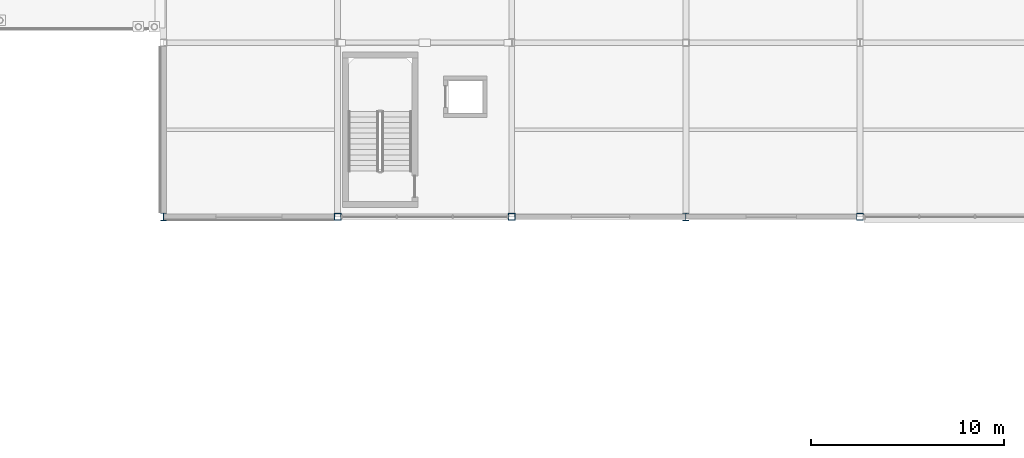
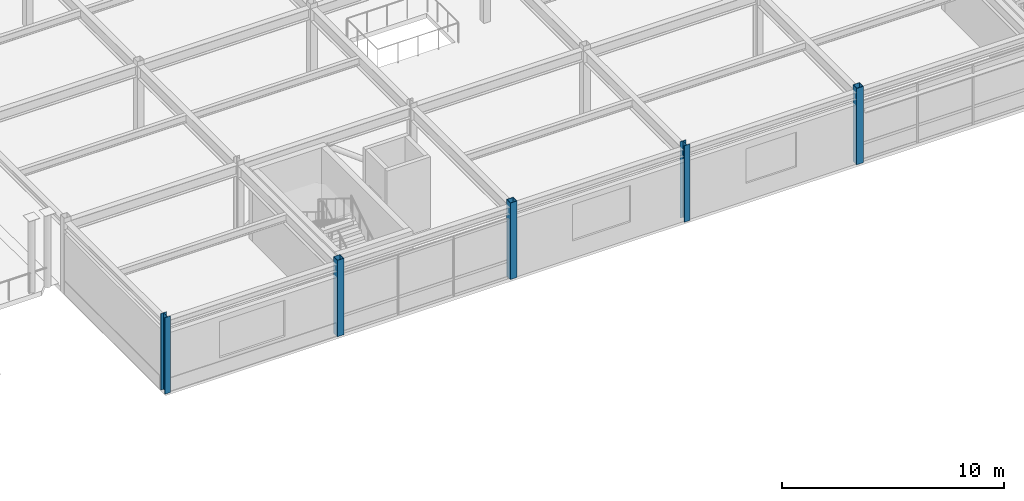
# One storey, part 2 of 53: 5 columns.
"""IFC4 building model written with IfcOpenShell, lengths in metres."""

import ifcopenshell
import ifcopenshell.guid

model = None  # the IFC model being written
_history = None  # IfcOwnerHistory: only IFC2X3 demands one
_inside = {}  # id of a spatial element -> (the spatial element, [elements in it])
_under = {}  # id of a project, library or spatial element -> (it, [spatial elements below it])
_declared = {}  # id of a project -> (the project, [libraries it declares])
_typed = {}  # id of a type object -> (the type object, [elements of that type])
_made_of = {}  # id of a material, layer set ... -> (it, [elements and type objects made of it])


def new_model(schema):
    """Start an empty IFC model of exactly this schema.

    Asked for "IFC4X3", IfcOpenShell would pick the latest addendum, in which some entities
    have other attributes; the version numbers below select the first issue.
    IFC2X3 requires an IfcOwnerHistory on every rooted entity: one is made here for all.
    """
    global model, _history
    if schema == "IFC4X3":
        model = ifcopenshell.file(schema_version=(4, 3, 0, 0))
    else:
        model = ifcopenshell.file(schema=schema)
    _inside.clear()
    _under.clear()
    _declared.clear()
    _typed.clear()
    _made_of.clear()
    _history = None
    if model.schema == "IFC2X3":
        org = make("IfcOrganization", Name="unknown")
        user = make(
            "IfcPersonAndOrganization",
            ThePerson=make("IfcPerson", FamilyName="unknown"),
            TheOrganization=org,
        )
        app = make(
            "IfcApplication",
            ApplicationDeveloper=org,
            Version="unknown",
            ApplicationFullName="unknown",
            ApplicationIdentifier="unknown",
        )
        _history = make(
            "IfcOwnerHistory",
            OwningUser=user,
            OwningApplication=app,
            ChangeAction="ADDED",
            CreationDate=0,
        )
    return model


def make(cls, **values):
    """One entity of the class cls with the attributes given. An attribute that is None is left unset."""
    return model.create_entity(
        cls, **{name: value for name, value in values.items() if value is not None}
    )


def rooted(cls, **values):
    """An entity with a GlobalId (a new one), such as an element, a storey or a relation."""
    return make(cls, GlobalId=ifcopenshell.guid.new(), OwnerHistory=_history, **values)


def si_unit(unit_type, name, prefix=None):
    """IfcSIUnit, for example si_unit("LENGTHUNIT", "METRE", prefix="MILLI")."""
    return make("IfcSIUnit", UnitType=unit_type, Prefix=prefix, Name=name)


def assignment(units):
    """IfcUnitAssignment: the units of a project."""
    return None if units is None else make("IfcUnitAssignment", Units=units)


def point(xyz):
    """IfcCartesianPoint."""
    return None if xyz is None else make("IfcCartesianPoint", Coordinates=xyz)


def direction(xyz):
    """IfcDirection."""
    return None if xyz is None else make("IfcDirection", DirectionRatios=xyz)


def frame(location, z_axis=None, x_axis=None):
    """IfcAxis2Placement3D, a coordinate frame: its origin and axes. An axis left out is left unset."""
    return make(
        "IfcAxis2Placement3D",
        Location=point(location),
        Axis=direction(z_axis),
        RefDirection=direction(x_axis),
    )


def frame_2d(location, x_axis=None):
    """IfcAxis2Placement2D, a coordinate frame in the plane: its origin and x axis."""
    return make(
        "IfcAxis2Placement2D", Location=point(location), RefDirection=direction(x_axis)
    )


def origin():
    """The frame at (0, 0, 0) with its axes left unset."""
    return frame((0.0, 0.0, 0.0))


def origin_2d():
    """The frame at (0, 0) in the plane with its x axis left unset."""
    return frame_2d((0.0, 0.0))


def place(relative_to, where):
    """IfcLocalPlacement: puts the frame where relative to a parent placement (None: the world)."""
    return make(
        "IfcLocalPlacement", PlacementRelTo=relative_to, RelativePlacement=where
    )


def context(
    kind, dimensions, precision=None, world=None, true_north=None, identifier=None
):
    """IfcGeometricRepresentationContext, for example the 3D "Model" context."""
    return make(
        "IfcGeometricRepresentationContext",
        ContextIdentifier=identifier,
        ContextType=kind,
        CoordinateSpaceDimension=dimensions,
        Precision=precision,
        WorldCoordinateSystem=world,
        TrueNorth=true_north,
    )


def subcontext(parent, identifier, kind, view, scale=None):
    """IfcGeometricRepresentationSubContext, for example "Body" below "Model"."""
    return make(
        "IfcGeometricRepresentationSubContext",
        ContextIdentifier=identifier,
        ContextType=kind,
        ParentContext=parent,
        TargetScale=scale,
        TargetView=view,
    )


def project(units=None, contexts=None):
    """IfcProject with its units and contexts."""
    return rooted(
        "IfcProject",
        Name="project",
        RepresentationContexts=contexts,
        UnitsInContext=assignment(units),
    )


def spatial(cls, under=None, at=None, **own):
    """A site, building, storey or space (cls), placed at a placement, below another one or the project."""
    s = rooted(cls, ObjectPlacement=at, **own)
    if under is not None:
        _under.setdefault(under.id(), (under, []))[1].append(s)
    return s


def profile(cls, at=None, kind="AREA", **sizes):
    """A parametric profile (cls). Its sizes go by their IFC names, for example OverallWidth=200.0."""
    return make(cls, ProfileType=kind, Position=at, **sizes)


def hollow_rectangle(**sizes):
    """IfcRectangleHollowProfileDef."""
    return profile("IfcRectangleHollowProfileDef", **sizes)


def i_section(**sizes):
    """IfcIShapeProfileDef."""
    return profile("IfcIShapeProfileDef", **sizes)


def extrude(swept, where, along, depth):
    """IfcExtrudedAreaSolid: the profile swept, set in the frame where, extruded along a direction by depth."""
    return make(
        "IfcExtrudedAreaSolid",
        SweptArea=swept,
        Position=where,
        ExtrudedDirection=direction(along),
        Depth=depth,
    )


def shape(context_of_items, identifier, shape_type, items):
    """IfcShapeRepresentation: the items that make up one representation, for example the "Body"."""
    return make(
        "IfcShapeRepresentation",
        ContextOfItems=context_of_items,
        RepresentationIdentifier=identifier,
        RepresentationType=shape_type,
        Items=items,
    )


def material(Name=None, Category=None):
    """IfcMaterial."""
    return make("IfcMaterial", Name=Name, Category=Category)


def material_profile(
    of_material, cross_section, Name=None, Category=None, Priority=None
):
    """IfcMaterialProfile: a cross section and its material."""
    return make(
        "IfcMaterialProfile",
        Name=Name,
        Material=of_material,
        Profile=cross_section,
        Priority=Priority,
        Category=Category,
    )


def profile_set(profiles, Name=None, composite=None):
    """IfcMaterialProfileSet."""
    return make(
        "IfcMaterialProfileSet",
        Name=Name,
        MaterialProfiles=profiles,
        CompositeProfile=composite,
    )


def made_of(thing, what):
    """Note that an element or type object is made of a material, layer set ...; save() writes the relation."""
    if what is not None:
        _made_of.setdefault(what.id(), (what, []))[1].append(thing)
    return thing


def type_object(cls, material=None, **own):
    """A type object (cls), such as IfcWallType, which elements share."""
    return made_of(rooted(cls, **own), material)


def element(
    cls,
    number,
    at=None,
    inside=None,
    cuts=None,
    type_object=None,
    material=None,
    context=None,
    identifier="Body",
    shape_type=None,
    held_by="IfcProductDefinitionShape",
    body=None,
    shapes=None,
    **own,
):
    """One element of the class cls, such as IfcWall. Its Tag is "e" and its number.

    at: its placement. inside: the storey or other place that contains it. cuts: it is an
    opening in that element (IfcRelVoidsElement). A single representation is given by context,
    identifier, shape_type and body (its items); several are given by shapes. held_by: the class
    of the entity that holds the representations. save() writes the other relations.
    """
    e = rooted(cls, Tag="e%d" % number, ObjectPlacement=at, **own)
    if body is not None:
        shapes = [shape(context, identifier, shape_type, body)]
    if shapes is not None:
        e.Representation = make(held_by, Representations=shapes)
    if inside is not None:
        _inside.setdefault(inside.id(), (inside, []))[1].append(e)
    if cuts is not None:
        rooted(
            "IfcRelVoidsElement", RelatingBuildingElement=cuts, RelatedOpeningElement=e
        )
    if type_object is not None:
        _typed.setdefault(type_object.id(), (type_object, []))[1].append(e)
    return made_of(e, material)


def aggregate(whole, parts):
    """IfcRelAggregates: a whole, such as a stair, and the parts it consists of."""
    return rooted("IfcRelAggregates", RelatingObject=whole, RelatedObjects=parts)


def save(model, path):
    """Write the relations noted so far, then the file.

    IfcRelAggregates (storeys below a building ...), IfcRelContainedInSpatialStructure (elements
    in a storey), IfcRelDefinesByType, IfcRelAssociatesMaterial and IfcRelDeclares: one each for
    every whole, place, type object, material and project.
    """
    for whole, parts in _under.values():
        aggregate(whole, parts)
    for where, things in _inside.values():
        rooted(
            "IfcRelContainedInSpatialStructure",
            RelatedElements=things,
            RelatingStructure=where,
        )
    for kind, things in _typed.values():
        rooted("IfcRelDefinesByType", RelatedObjects=things, RelatingType=kind)
    for what, things in _made_of.values():
        rooted("IfcRelAssociatesMaterial", RelatedObjects=things, RelatingMaterial=what)
    for by, libraries in _declared.values():
        rooted("IfcRelDeclares", RelatingContext=by, RelatedDefinitions=libraries)
    model.write(path)


model = new_model("IFC4")

# Units and contexts
model_context = context("Model", 3, precision=1e-05, world=origin(), true_north=direction((0.0, 1.0)))
body_context = subcontext(model_context, "Body", "Model", "MODEL_VIEW")
ifc_project = project(units=[si_unit("LENGTHUNIT", "METRE"), si_unit("AREAUNIT", "SQUARE_METRE"), si_unit("VOLUMEUNIT", "CUBIC_METRE"), si_unit("PLANEANGLEUNIT", "RADIAN"), si_unit("MASSUNIT", "GRAM", prefix="KILO")], contexts=[model_context])

# Site, building, storey
site_placement = place(None, origin())
site = spatial("IfcSite", under=ifc_project, at=site_placement, CompositionType="ELEMENT")
building_placement = place(site_placement, origin())
building = spatial("IfcBuilding", under=site, at=building_placement, Name="Suzunagisa Mobility Hub", CompositionType="ELEMENT")
storey_placement = place(building_placement, frame((0.0, 0.0, 17.699951171875)))
storey = spatial("IfcBuildingStorey", under=building, at=storey_placement, Name="L04", CompositionType="ELEMENT", Elevation=17.699951171875)

# Columns
ifc_material = material(Name="Steel SN490B", Category="steel")
ifc_material_profile_1 = material_profile(ifc_material, hollow_rectangle(XDim=0.35009765625, YDim=0.35009765625, WallThickness=0.01611328125, at=origin_2d()), Name="BCR-350x350x16")
ifc_profile_set_1 = profile_set([ifc_material_profile_1], Name="Steel SN490B")
column_type_1 = type_object("IfcColumnType", Name="Steel Column CL-04 BCR-350x350x16", PredefinedType="COLUMN", material=ifc_profile_set_1)
for number, where, z_axis, x_axis, name in (
    (1, (54.0, 80.0, 0.0), (0.0, 0.0, 1.0), (1.0, 0.0, 0.0), "L04 Column 129"),
    (2, (63.0, 80.0, 0.0), (0.0, 0.0, 1.0), (1.0, 0.0, 0.0), "L04 Column 138"),
    (3, (81.0, 80.0, 0.0), (0.0, 0.0, 1.0), (1.0, 0.0, 0.0), "L04 Column 171"),
):
    element("IfcColumn", number, at=place(storey_placement, frame(where, z_axis=z_axis, x_axis=x_axis)), inside=storey, type_object=column_type_1, Name=name, PredefinedType="COLUMN", context=body_context, shape_type="SweptSolid", body=[
        extrude(hollow_rectangle(XDim=0.35009765625, YDim=0.35009765625, WallThickness=0.01611328125, at=origin_2d()), origin(), (0.0, 0.0, 1.0), 4.199951171875),
    ])
ifc_material_profile_2 = material_profile(ifc_material, i_section(OverallWidth=0.300048828125, OverallDepth=0.389892578125, WebThickness=0.010009765625, FlangeThickness=0.01611328125, FilletRadius=0.012939453125, at=origin_2d()), Name="H-390x300x10x16")
ifc_profile_set_2 = profile_set([ifc_material_profile_2], Name="Steel SN490B")
column_type_2 = type_object("IfcColumnType", Name="Steel Column CL-07 H-390x300x10x16", PredefinedType="COLUMN", material=ifc_profile_set_2)
for number, where, z_axis, x_axis, name in (
    (4, (45.0, 80.0, 0.0), (0.0, 0.0, 1.0), (1.0, 0.0, 0.0), "L04 Column 118"),
    (5, (72.0, 80.0, 0.0), (0.0, 0.0, 1.0), (1.0, 0.0, 0.0), "L04 Column 154"),
):
    element("IfcColumn", number, at=place(storey_placement, frame(where, z_axis=z_axis, x_axis=x_axis)), inside=storey, type_object=column_type_2, Name=name, PredefinedType="COLUMN", context=body_context, shape_type="SweptSolid", body=[
        extrude(i_section(OverallWidth=0.300048828125, OverallDepth=0.389892578125, WebThickness=0.010009765625, FlangeThickness=0.01611328125, FilletRadius=0.012939453125, at=origin_2d()), origin(), (0.0, 0.0, 1.0), 4.199951171875),
    ])

save(model, "model.ifc")
